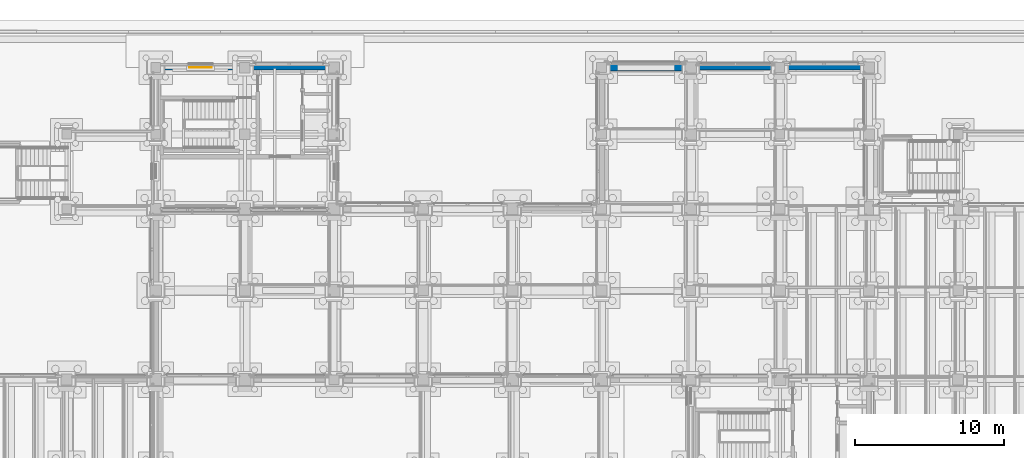
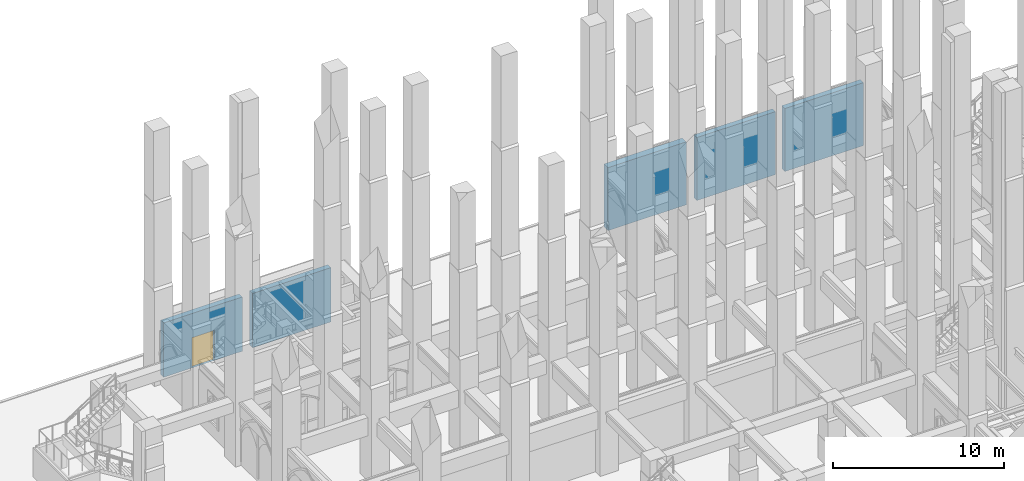
# One storey, part 67 of 135: 5 walls, 1 door, 1 opening.
"""IFC4 building model written with IfcOpenShell, lengths in metres."""

from ifc_helpers import new_model, si_unit, direction, frame, frame_2d, origin, place, context, subcontext, project, spatial, rectangle, extrude, material, layer, layer_set, type_object, element, fill, save


model = new_model("IFC4")

# Units and contexts
model_context = context("Model", 3, precision=1e-05, world=origin(), true_north=direction((0.0, 1.0)))
body_context = subcontext(model_context, "Body", "Model", "MODEL_VIEW")
ifc_project = project(units=[si_unit("LENGTHUNIT", "METRE"), si_unit("AREAUNIT", "SQUARE_METRE"), si_unit("VOLUMEUNIT", "CUBIC_METRE"), si_unit("PLANEANGLEUNIT", "RADIAN"), si_unit("MASSUNIT", "GRAM", prefix="KILO")], contexts=[model_context])

# Site, building, storey
site_placement = place(None, origin())
site = spatial("IfcSite", under=ifc_project, at=site_placement, CompositionType="ELEMENT")
building_placement = place(site_placement, origin())
building = spatial("IfcBuilding", under=site, at=building_placement, Name="Cumevento Cable Car Station", CompositionType="ELEMENT")
storey_placement = place(building_placement, origin())
storey = spatial("IfcBuildingStorey", under=building, at=storey_placement, Name="L01", CompositionType="ELEMENT", Elevation=0.0)

# Wall, opening, door
ifc_material_1 = material(Name="Concrete C40/50", Category="concrete")
ifc_layer_1 = layer(ifc_material_1, 0.35498046875)
ifc_layer_set_1 = layer_set([ifc_layer_1], Name="Concrete C40/50")
wall_type_1 = type_object("IfcWallType", Name="Exterior Envelope Wall EW-355 355", PredefinedType="SOLIDWALL", material=ifc_layer_set_1)
wall_1_placement = place(storey_placement, frame((22.324951171875, 66.0, 0.0), z_axis=(0.0, 0.0, 1.0), x_axis=(1.0, 0.0, 0.0)))
wall_1 = element("IfcWall", 1, at=wall_1_placement, inside=storey, type_object=wall_type_1, Name="Exterior Wall EW-355 L01 #57", PredefinedType="SOLIDWALL", context=body_context, shape_type="SweptSolid", body=[
    extrude(rectangle(XDim=5.324951171875, YDim=0.35498046875, at=frame_2d((2.66259765625, 0.0))), origin(), (0.0, 0.0, 1.0), 3.881103515625),
])
opening_placement = place(wall_1_placement, frame((1.9150390625, 0.0, 0.0)))
opening = element("IfcOpeningElement", 2, at=opening_placement, cuts=wall_1, Name="Opening DR-L01-EX4", PredefinedType="OPENING", context=body_context, shape_type="SweptSolid", body=[
    extrude(rectangle(XDim=1.52001953125, YDim=2.159912109375, at=frame_2d((0.760009765625, 1.080078125))), frame((0.0, 0.1875, 0.0), z_axis=(0.0, -1.0, 0.0), x_axis=(1.0, 0.0, 0.0)), (0.0, 0.0, 1.0), 0.375),
])
ifc_material_2 = material(Name="Galvanised Painted Steel Door Assembly", Category="steel")
door_type = type_object("IfcDoorType", Name="Exterior Door ED-10 1520x2160", OperationType="NOTDEFINED", PredefinedType="DOOR", material=ifc_material_2)
door_placement = place(opening_placement, origin())
door = element("IfcDoor", 3, at=door_placement, inside=storey, type_object=door_type, Name="Final Pedestrian Exit E4 (Core C4)", OperationType="DOUBLE_DOOR_SINGLE_SWING", OverallHeight=2.159912109375, OverallWidth=1.52001953125, PredefinedType="DOOR", context=body_context, shape_type="SweptSolid", body=[
    extrude(rectangle(XDim=1.52001953125, YDim=2.159912109375, at=frame_2d((0.760009765625, 1.080078125))), frame((0.0, 0.02490234375, 0.0), z_axis=(0.0, -1.0, 0.0), x_axis=(1.0, 0.0, 0.0)), (0.0, 0.0, 1.0), 0.050048828125),
])
fill(opening, door)

# Walls
wall_2_placement = place(storey_placement, frame((28.35009765625, 66.0, 0.0), z_axis=(0.0, 0.0, 1.0), x_axis=(1.0, 0.0, 0.0)))
element("IfcWall", 4, at=wall_2_placement, inside=storey, type_object=wall_type_1, Name="Exterior Wall EW-355 L01 #59", PredefinedType="SOLIDWALL", context=body_context, shape_type="SweptSolid", body=[
    extrude(rectangle(XDim=5.27490234375, YDim=0.35498046875, at=frame_2d((2.637451171875, 0.0))), origin(), (0.0, 0.0, 1.0), 3.881103515625),
])
ifc_material_3 = material(Name="Concrete C40/50", Category="concrete")
ifc_layer_2 = layer(ifc_material_3, 0.340087890625)
ifc_layer_set_2 = layer_set([ifc_layer_2], Name="Concrete C40/50")
wall_type_2 = type_object("IfcWallType", Name="Retaining Wall RW-340 340", PredefinedType="USERDEFINED", material=ifc_layer_set_2)
wall_3_placement = place(storey_placement, frame((58.375, 66.0, 0.0), z_axis=(0.0, 0.0, 1.0), x_axis=(1.0, 0.0, 0.0)))
element("IfcWall", 5, at=wall_3_placement, inside=storey, type_object=wall_type_2, Name="Retaining Wall RW-340 L01 #60", ObjectType="RETAININGWALL", PredefinedType="USERDEFINED", context=body_context, shape_type="SweptSolid", body=[
    extrude(rectangle(XDim=5.300048828125, YDim=0.340087890625, at=frame_2d((2.64990234375, 0.0))), origin(), (0.0, 0.0, 1.0), 4.5),
])
ifc_material_4 = material(Name="Concrete C40/50", Category="concrete")
ifc_layer_3 = layer(ifc_material_4, 0.360107421875)
ifc_layer_set_3 = layer_set([ifc_layer_3], Name="Concrete C40/50")
wall_type_3 = type_object("IfcWallType", Name="Retaining Wall RW-360 360", PredefinedType="USERDEFINED", material=ifc_layer_set_3)
wall_4_placement = place(storey_placement, frame((64.324951171875, 66.0, 0.0), z_axis=(0.0, 0.0, 1.0), x_axis=(1.0, 0.0, 0.0)))
element("IfcWall", 6, at=wall_4_placement, inside=storey, type_object=wall_type_3, Name="Retaining Wall RW-360 L01 #61", ObjectType="RETAININGWALL", PredefinedType="USERDEFINED", context=body_context, shape_type="SweptSolid", body=[
    extrude(rectangle(XDim=5.300048828125, YDim=0.360107421875, at=frame_2d((2.64990234375, 0.0))), origin(), (0.0, 0.0, 1.0), 4.5),
])
ifc_material_5 = material(Name="Concrete C40/50", Category="concrete")
ifc_layer_4 = layer(ifc_material_5, 0.4599609375)
ifc_layer_set_4 = layer_set([ifc_layer_4], Name="Concrete C40/50")
wall_type_4 = type_object("IfcWallType", Name="Retaining Wall RW-460 460", PredefinedType="USERDEFINED", material=ifc_layer_set_4)
wall_5_placement = place(storey_placement, frame((52.324951171875, 66.0, 0.0), z_axis=(0.0, 0.0, 1.0), x_axis=(1.0, 0.0, 0.0)))
element("IfcWall", 7, at=wall_5_placement, inside=storey, type_object=wall_type_4, Name="Retaining Wall RW-460 L01 #59", ObjectType="RETAININGWALL", PredefinedType="USERDEFINED", context=body_context, shape_type="SweptSolid", body=[
    extrude(rectangle(XDim=5.300048828125, YDim=0.4599609375, at=frame_2d((2.64990234375, 0.0))), origin(), (0.0, 0.0, 1.0), 4.5),
])

save(model, "model.ifc")
